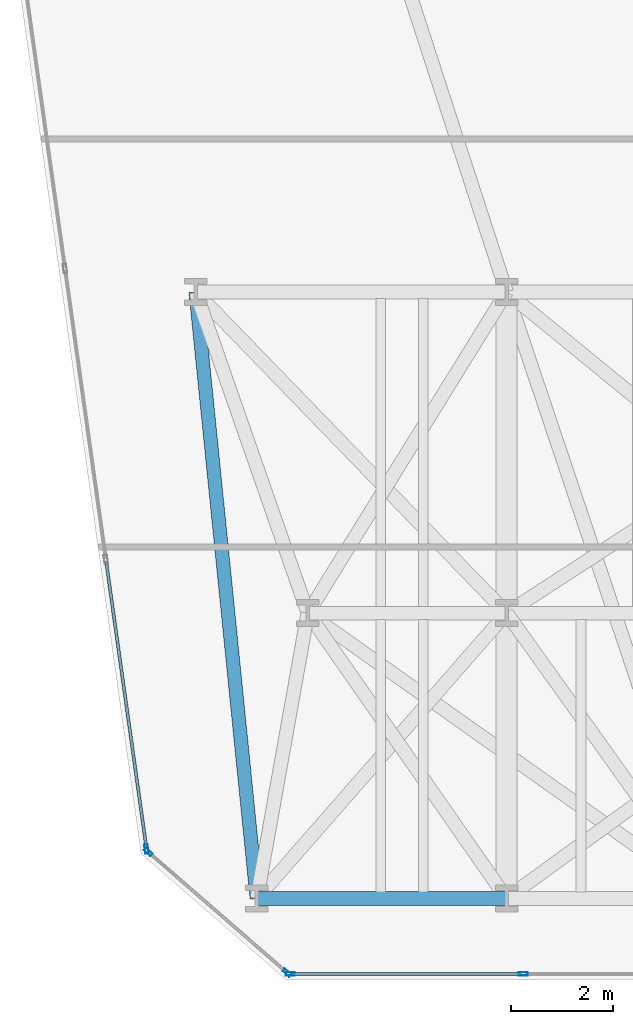
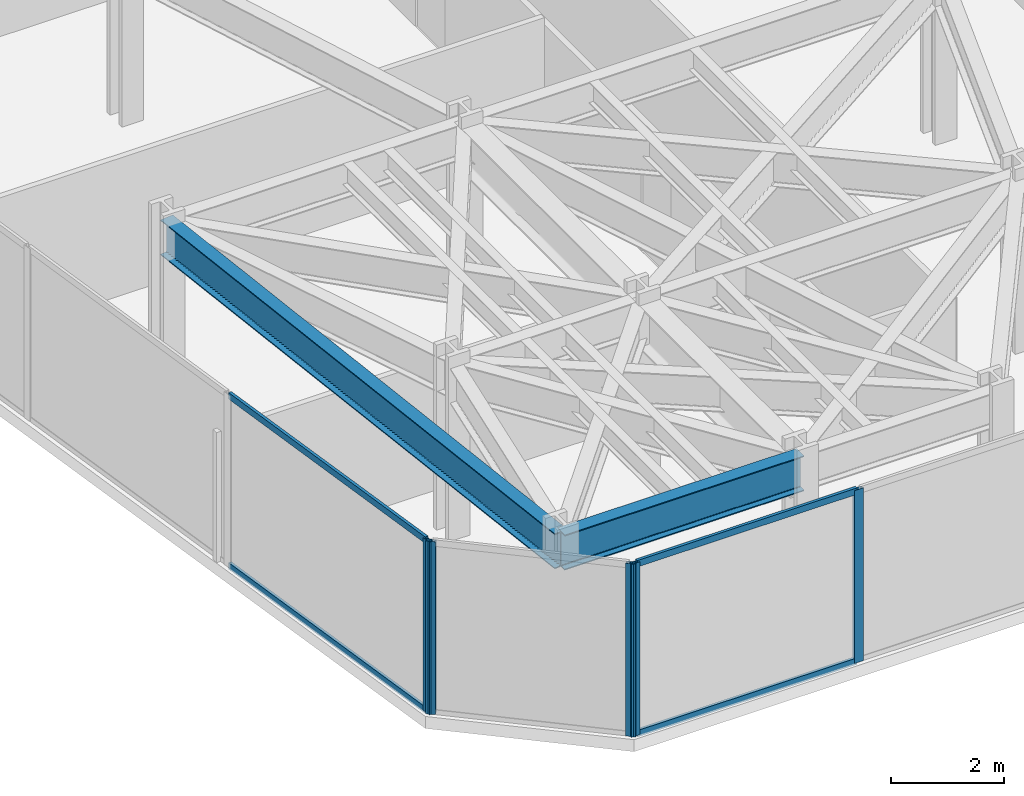
# One storey, part 2 of 25: 9 members, 2 beams, 3 elements without a shape of their own.
"""IFC4 building model written with IfcOpenShell, lengths in metres."""

import ifcopenshell
import ifcopenshell.guid

model = None  # the IFC model being written
_history = None  # IfcOwnerHistory: only IFC2X3 demands one
_inside = {}  # id of a spatial element -> (the spatial element, [elements in it])
_under = {}  # id of a project, library or spatial element -> (it, [spatial elements below it])
_declared = {}  # id of a project -> (the project, [libraries it declares])
_typed = {}  # id of a type object -> (the type object, [elements of that type])
_made_of = {}  # id of a material, layer set ... -> (it, [elements and type objects made of it])


def new_model(schema):
    """Start an empty IFC model of exactly this schema.

    Asked for "IFC4X3", IfcOpenShell would pick the latest addendum, in which some entities
    have other attributes; the version numbers below select the first issue.
    IFC2X3 requires an IfcOwnerHistory on every rooted entity: one is made here for all.
    """
    global model, _history
    if schema == "IFC4X3":
        model = ifcopenshell.file(schema_version=(4, 3, 0, 0))
    else:
        model = ifcopenshell.file(schema=schema)
    _inside.clear()
    _under.clear()
    _declared.clear()
    _typed.clear()
    _made_of.clear()
    _history = None
    if model.schema == "IFC2X3":
        org = make("IfcOrganization", Name="unknown")
        user = make(
            "IfcPersonAndOrganization",
            ThePerson=make("IfcPerson", FamilyName="unknown"),
            TheOrganization=org,
        )
        app = make(
            "IfcApplication",
            ApplicationDeveloper=org,
            Version="unknown",
            ApplicationFullName="unknown",
            ApplicationIdentifier="unknown",
        )
        _history = make(
            "IfcOwnerHistory",
            OwningUser=user,
            OwningApplication=app,
            ChangeAction="ADDED",
            CreationDate=0,
        )
    return model


def make(cls, **values):
    """One entity of the class cls with the attributes given. An attribute that is None is left unset."""
    return model.create_entity(
        cls, **{name: value for name, value in values.items() if value is not None}
    )


def rooted(cls, **values):
    """An entity with a GlobalId (a new one), such as an element, a storey or a relation."""
    return make(cls, GlobalId=ifcopenshell.guid.new(), OwnerHistory=_history, **values)


def si_unit(unit_type, name, prefix=None):
    """IfcSIUnit, for example si_unit("LENGTHUNIT", "METRE", prefix="MILLI")."""
    return make("IfcSIUnit", UnitType=unit_type, Prefix=prefix, Name=name)


def assignment(units):
    """IfcUnitAssignment: the units of a project."""
    return None if units is None else make("IfcUnitAssignment", Units=units)


def point(xyz):
    """IfcCartesianPoint."""
    return None if xyz is None else make("IfcCartesianPoint", Coordinates=xyz)


def direction(xyz):
    """IfcDirection."""
    return None if xyz is None else make("IfcDirection", DirectionRatios=xyz)


def frame(location, z_axis=None, x_axis=None):
    """IfcAxis2Placement3D, a coordinate frame: its origin and axes. An axis left out is left unset."""
    return make(
        "IfcAxis2Placement3D",
        Location=point(location),
        Axis=direction(z_axis),
        RefDirection=direction(x_axis),
    )


def frame_2d(location, x_axis=None):
    """IfcAxis2Placement2D, a coordinate frame in the plane: its origin and x axis."""
    return make(
        "IfcAxis2Placement2D", Location=point(location), RefDirection=direction(x_axis)
    )


def origin():
    """The frame at (0, 0, 0) with its axes left unset."""
    return frame((0.0, 0.0, 0.0))


def origin_2d():
    """The frame at (0, 0) in the plane with its x axis left unset."""
    return frame_2d((0.0, 0.0))


def place(relative_to, where):
    """IfcLocalPlacement: puts the frame where relative to a parent placement (None: the world)."""
    return make(
        "IfcLocalPlacement", PlacementRelTo=relative_to, RelativePlacement=where
    )


def context(
    kind, dimensions, precision=None, world=None, true_north=None, identifier=None
):
    """IfcGeometricRepresentationContext, for example the 3D "Model" context."""
    return make(
        "IfcGeometricRepresentationContext",
        ContextIdentifier=identifier,
        ContextType=kind,
        CoordinateSpaceDimension=dimensions,
        Precision=precision,
        WorldCoordinateSystem=world,
        TrueNorth=true_north,
    )


def subcontext(parent, identifier, kind, view, scale=None):
    """IfcGeometricRepresentationSubContext, for example "Body" below "Model"."""
    return make(
        "IfcGeometricRepresentationSubContext",
        ContextIdentifier=identifier,
        ContextType=kind,
        ParentContext=parent,
        TargetScale=scale,
        TargetView=view,
    )


def project(units=None, contexts=None):
    """IfcProject with its units and contexts."""
    return rooted(
        "IfcProject",
        Name="project",
        RepresentationContexts=contexts,
        UnitsInContext=assignment(units),
    )


def spatial(cls, under=None, at=None, **own):
    """A site, building, storey or space (cls), placed at a placement, below another one or the project."""
    s = rooted(cls, ObjectPlacement=at, **own)
    if under is not None:
        _under.setdefault(under.id(), (under, []))[1].append(s)
    return s


def profile(cls, at=None, kind="AREA", **sizes):
    """A parametric profile (cls). Its sizes go by their IFC names, for example OverallWidth=200.0."""
    return make(cls, ProfileType=kind, Position=at, **sizes)


def hollow_rectangle(**sizes):
    """IfcRectangleHollowProfileDef."""
    return profile("IfcRectangleHollowProfileDef", **sizes)


def i_section(**sizes):
    """IfcIShapeProfileDef."""
    return profile("IfcIShapeProfileDef", **sizes)


def extrude(swept, where, along, depth):
    """IfcExtrudedAreaSolid: the profile swept, set in the frame where, extruded along a direction by depth."""
    return make(
        "IfcExtrudedAreaSolid",
        SweptArea=swept,
        Position=where,
        ExtrudedDirection=direction(along),
        Depth=depth,
    )


def shape(context_of_items, identifier, shape_type, items):
    """IfcShapeRepresentation: the items that make up one representation, for example the "Body"."""
    return make(
        "IfcShapeRepresentation",
        ContextOfItems=context_of_items,
        RepresentationIdentifier=identifier,
        RepresentationType=shape_type,
        Items=items,
    )


def material(Name=None, Category=None):
    """IfcMaterial."""
    return make("IfcMaterial", Name=Name, Category=Category)


def layer(
    of_material, thickness, ventilated=None, Name=None, Category=None, Priority=None
):
    """IfcMaterialLayer: one layer of a wall or slab, of a material (None: an air gap)."""
    return make(
        "IfcMaterialLayer",
        Material=of_material,
        LayerThickness=thickness,
        IsVentilated=ventilated,
        Name=Name,
        Category=Category,
        Priority=Priority,
    )


def layer_set(layers, Name=None):
    """IfcMaterialLayerSet."""
    return make("IfcMaterialLayerSet", MaterialLayers=layers, LayerSetName=Name)


def material_profile(
    of_material, cross_section, Name=None, Category=None, Priority=None
):
    """IfcMaterialProfile: a cross section and its material."""
    return make(
        "IfcMaterialProfile",
        Name=Name,
        Material=of_material,
        Profile=cross_section,
        Priority=Priority,
        Category=Category,
    )


def profile_set(profiles, Name=None, composite=None):
    """IfcMaterialProfileSet."""
    return make(
        "IfcMaterialProfileSet",
        Name=Name,
        MaterialProfiles=profiles,
        CompositeProfile=composite,
    )


def made_of(thing, what):
    """Note that an element or type object is made of a material, layer set ...; save() writes the relation."""
    if what is not None:
        _made_of.setdefault(what.id(), (what, []))[1].append(thing)
    return thing


def type_object(cls, material=None, **own):
    """A type object (cls), such as IfcWallType, which elements share."""
    return made_of(rooted(cls, **own), material)


def element(
    cls,
    number,
    at=None,
    inside=None,
    cuts=None,
    type_object=None,
    material=None,
    context=None,
    identifier="Body",
    shape_type=None,
    held_by="IfcProductDefinitionShape",
    body=None,
    shapes=None,
    **own,
):
    """One element of the class cls, such as IfcWall. Its Tag is "e" and its number.

    at: its placement. inside: the storey or other place that contains it. cuts: it is an
    opening in that element (IfcRelVoidsElement). A single representation is given by context,
    identifier, shape_type and body (its items); several are given by shapes. held_by: the class
    of the entity that holds the representations. save() writes the other relations.
    """
    e = rooted(cls, Tag="e%d" % number, ObjectPlacement=at, **own)
    if body is not None:
        shapes = [shape(context, identifier, shape_type, body)]
    if shapes is not None:
        e.Representation = make(held_by, Representations=shapes)
    if inside is not None:
        _inside.setdefault(inside.id(), (inside, []))[1].append(e)
    if cuts is not None:
        rooted(
            "IfcRelVoidsElement", RelatingBuildingElement=cuts, RelatedOpeningElement=e
        )
    if type_object is not None:
        _typed.setdefault(type_object.id(), (type_object, []))[1].append(e)
    return made_of(e, material)


def aggregate(whole, parts):
    """IfcRelAggregates: a whole, such as a stair, and the parts it consists of."""
    return rooted("IfcRelAggregates", RelatingObject=whole, RelatedObjects=parts)


def save(model, path):
    """Write the relations noted so far, then the file.

    IfcRelAggregates (storeys below a building ...), IfcRelContainedInSpatialStructure (elements
    in a storey), IfcRelDefinesByType, IfcRelAssociatesMaterial and IfcRelDeclares: one each for
    every whole, place, type object, material and project.
    """
    for whole, parts in _under.values():
        aggregate(whole, parts)
    for where, things in _inside.values():
        rooted(
            "IfcRelContainedInSpatialStructure",
            RelatedElements=things,
            RelatingStructure=where,
        )
    for kind, things in _typed.values():
        rooted("IfcRelDefinesByType", RelatedObjects=things, RelatingType=kind)
    for what, things in _made_of.values():
        rooted("IfcRelAssociatesMaterial", RelatedObjects=things, RelatingMaterial=what)
    for by, libraries in _declared.values():
        rooted("IfcRelDeclares", RelatingContext=by, RelatedDefinitions=libraries)
    model.write(path)


model = new_model("IFC4")

# Units and contexts
model_context = context("Model", 3, precision=1e-05, world=origin(), true_north=direction((0.0, 1.0)))
body_context = subcontext(model_context, "Body", "Model", "MODEL_VIEW")
ifc_project = project(units=[si_unit("LENGTHUNIT", "METRE"), si_unit("AREAUNIT", "SQUARE_METRE"), si_unit("VOLUMEUNIT", "CUBIC_METRE"), si_unit("PLANEANGLEUNIT", "RADIAN"), si_unit("MASSUNIT", "GRAM", prefix="KILO")], contexts=[model_context])

# Site, building, storey
site_placement = place(None, origin())
site = spatial("IfcSite", under=ifc_project, at=site_placement, CompositionType="ELEMENT")
building_placement = place(site_placement, origin())
building = spatial("IfcBuilding", under=site, at=building_placement, Name="Kravanh Interchange Tower", CompositionType="ELEMENT")
storey_placement = place(building_placement, frame((0.0, 0.0, 57.5)))
storey = spatial("IfcBuildingStorey", under=building, at=storey_placement, Name="L13", CompositionType="ELEMENT", Elevation=57.5)

# Curtain wall, member
ifc_material_1 = material(Name="Anodised Bronze Aluminium", Category="aluminium")
ifc_layer = layer(ifc_material_1, 0.179931640625)
ifc_layer_set = layer_set([ifc_layer], Name="Unitised Curtain Wall System CW-Z1 Lower Office")
curtain_wall_type = type_object("IfcCurtainWallType", Name="Unitised Curtain Wall System CW-Z1 Lower Office", PredefinedType="NOTDEFINED", material=ifc_layer_set)
curtain_wall_1_placement = place(storey_placement, origin())
curtain_wall_1 = element("IfcCurtainWall", 1, at=curtain_wall_1_placement, inside=storey, type_object=curtain_wall_type, Name="L13 Unitised Curtain Wall CW-L13-01", PredefinedType="NOTDEFINED")
ifc_material_2 = material(Name="Anodised Bronze Aluminium", Category="aluminium")
ifc_material_profile_1 = material_profile(ifc_material_2, hollow_rectangle(XDim=0.070068359375, YDim=0.179931640625, WallThickness=0.00390625, at=origin_2d()), Name="ALU70X180X4")
ifc_profile_set_1 = profile_set([ifc_material_profile_1], Name="Anodised Bronze Aluminium")
member_type_1 = type_object("IfcMemberType", Name="Curtain Wall Mullion ALU70X180X4 Bronze", PredefinedType="MULLION", material=ifc_profile_set_1)
member_1_placement = place(storey_placement, frame((10.435546875, 3.571533203125, 0.0), z_axis=(0.0, 0.0, 1.0), x_axis=(-0.990267585682, -0.139176538065, 0.0)))
member_1 = element("IfcMember", 2, at=member_1_placement, type_object=member_type_1, Name="CW-Z1 mullion 1", PredefinedType="MULLION", context=body_context, shape_type="SweptSolid", body=[
    extrude(hollow_rectangle(XDim=0.070068359375, YDim=0.179931640625, WallThickness=0.00390625, at=origin_2d()), origin(), (0.0, 0.0, 1.0), 3.739990234375),
])

# Curtain wall, members
curtain_wall_2_placement = place(storey_placement, origin())
curtain_wall_2 = element("IfcCurtainWall", 3, at=curtain_wall_2_placement, inside=storey, type_object=curtain_wall_type, Name="L13 Unitised Curtain Wall CW-L13-06", PredefinedType="NOTDEFINED")
member_2_placement = place(storey_placement, frame((17.8271484375, 1.1201171875, 0.0), z_axis=(0.0, 0.0, 1.0), x_axis=(0.0, -1.0, 0.0)))
member_2 = element("IfcMember", 4, at=member_2_placement, type_object=member_type_1, Name="CW-Z1 mullion 2", PredefinedType="MULLION", context=body_context, shape_type="SweptSolid", body=[
    extrude(hollow_rectangle(XDim=0.070068359375, YDim=0.179931640625, WallThickness=0.00390625, at=origin_2d()), origin(), (0.0, 0.0, 1.0), 3.739990234375),
])
member_3_placement = place(storey_placement, frame((13.255615234375, 1.1201171875, 0.0), z_axis=(0.0, 0.0, 1.0), x_axis=(0.0, -1.0, 0.0)))
member_3 = element("IfcMember", 5, at=member_3_placement, type_object=member_type_1, Name="CW-Z1 mullion 3", PredefinedType="MULLION", context=body_context, shape_type="SweptSolid", body=[
    extrude(hollow_rectangle(XDim=0.070068359375, YDim=0.179931640625, WallThickness=0.00390625, at=origin_2d()), origin(), (0.0, 0.0, 1.0), 3.739990234375),
])

curtain_wall_3_placement = place(storey_placement, origin())
curtain_wall_3 = element("IfcCurtainWall", 6, at=curtain_wall_3_placement, inside=storey, type_object=curtain_wall_type, Name="L13 Unitised Curtain Wall CW-L13-07", PredefinedType="NOTDEFINED")
member_4_placement = place(storey_placement, frame((13.194091796875, 1.14306640625, 0.0), z_axis=(0.0, 0.0, 1.0), x_axis=(-0.656060422341, -0.754708368999, 0.0)))
member_4 = element("IfcMember", 7, at=member_4_placement, type_object=member_type_1, Name="CW-Z1 mullion 1", PredefinedType="MULLION", context=body_context, shape_type="SweptSolid", body=[
    extrude(hollow_rectangle(XDim=0.070068359375, YDim=0.179931640625, WallThickness=0.00390625, at=origin_2d()), origin(), (0.0, 0.0, 1.0), 3.739990234375),
])
member_5_placement = place(storey_placement, frame((10.466796875, 3.513916015625, 0.0), z_axis=(0.0, 0.0, 1.0), x_axis=(-0.656060422341, -0.754708368999, 0.0)))
member_5 = element("IfcMember", 8, at=member_5_placement, type_object=member_type_1, Name="CW-Z1 mullion 2", PredefinedType="MULLION", context=body_context, shape_type="SweptSolid", body=[
    extrude(hollow_rectangle(XDim=0.070068359375, YDim=0.179931640625, WallThickness=0.00390625, at=origin_2d()), origin(), (0.0, 0.0, 1.0), 3.739990234375),
])
aggregate(curtain_wall_3, [member_4, member_5])

# Member
ifc_material_3 = material(Name="Anodised Bronze Aluminium", Category="aluminium")
ifc_material_profile_2 = material_profile(ifc_material_3, hollow_rectangle(XDim=0.06005859375, YDim=0.139892578125, WallThickness=0.00390625, at=origin_2d()), Name="ALU60X140X4")
ifc_profile_set_2 = profile_set([ifc_material_profile_2], Name="Anodised Bronze Aluminium")
member_type_2 = type_object("IfcMemberType", Name="Curtain Wall Transom ALU60X140X4 Bronze", PredefinedType="USERDEFINED", material=ifc_profile_set_2)
member_6_placement = place(storey_placement, frame((10.4306640625, 3.606201171875, 0.030029296875), z_axis=(-0.139199330487, 0.990264382068, 0.0), x_axis=(-0.990264382068, -0.139199330487, 0.0)))
member_6 = element("IfcMember", 9, at=member_6_placement, type_object=member_type_2, Name="CW-Z1 transom 1.1", ObjectType="TRANSOM", PredefinedType="USERDEFINED", context=body_context, shape_type="SweptSolid", body=[
    extrude(hollow_rectangle(XDim=0.06005859375, YDim=0.139892578125, WallThickness=0.00390625, at=origin_2d()), origin(), (0.0, 0.0, 1.0), 5.66162109375),
])

member_7_placement = place(storey_placement, frame((10.4306640625, 3.606201171875, 3.7099609375), z_axis=(-0.139199330487, 0.990264382068, 0.0), x_axis=(-0.990264382068, -0.139199330487, 0.0)))
member_7 = element("IfcMember", 10, at=member_7_placement, type_object=member_type_2, Name="CW-Z1 transom 1.2", ObjectType="TRANSOM", PredefinedType="USERDEFINED", context=body_context, shape_type="SweptSolid", body=[
    extrude(hollow_rectangle(XDim=0.06005859375, YDim=0.139892578125, WallThickness=0.00390625, at=origin_2d()), origin(), (0.0, 0.0, 1.0), 5.66162109375),
])

aggregate(curtain_wall_1, [member_1, member_6, member_7])

member_8_placement = place(storey_placement, frame((17.792236328125, 1.1201171875, 0.030029296875), z_axis=(-1.0, 0.0, 0.0), x_axis=(0.0, -1.0, 0.0)))
member_8 = element("IfcMember", 11, at=member_8_placement, type_object=member_type_2, Name="CW-Z1 transom 2.1", ObjectType="TRANSOM", PredefinedType="USERDEFINED", context=body_context, shape_type="SweptSolid", body=[
    extrude(hollow_rectangle(XDim=0.06005859375, YDim=0.139892578125, WallThickness=0.00390625, at=origin_2d()), origin(), (0.0, 0.0, 1.0), 4.501708984375),
])

member_9_placement = place(storey_placement, frame((17.792236328125, 1.1201171875, 3.7099609375), z_axis=(-1.0, 0.0, 0.0), x_axis=(0.0, -1.0, 0.0)))
member_9 = element("IfcMember", 12, at=member_9_placement, type_object=member_type_2, Name="CW-Z1 transom 2.2", ObjectType="TRANSOM", PredefinedType="USERDEFINED", context=body_context, shape_type="SweptSolid", body=[
    extrude(hollow_rectangle(XDim=0.06005859375, YDim=0.139892578125, WallThickness=0.00390625, at=origin_2d()), origin(), (0.0, 0.0, 1.0), 4.501708984375),
])

aggregate(curtain_wall_2, [member_2, member_3, member_8, member_9])

# Beams
ifc_material_4 = material(Name="Structural Steel S355", Category="steel")
ifc_material_profile_3 = material_profile(ifc_material_4, i_section(OverallWidth=0.26708984375, OverallDepth=0.761962890625, WebThickness=0.014404296875, FlangeThickness=0.021484375, FilletRadius=0.02490234375, at=origin_2d()), Name="W30X116")
ifc_profile_set_3 = profile_set([ifc_material_profile_3], Name="Structural Steel S355")
beam_type = type_object("IfcBeamType", Name="Floor Spandrel W30X116 Structural Steel S355", PredefinedType="SPANDREL", material=ifc_profile_set_3)
beam_1_placement = place(storey_placement, frame((12.60009765625, 2.60009765625, 3.35888671875), z_axis=(1.0, 0.0, 0.0), x_axis=(0.0, 1.0, 0.0)))
element("IfcBeam", 13, at=beam_1_placement, inside=storey, type_object=beam_type, Name="L13 Perimeter Spandrel 38", PredefinedType="SPANDREL", context=body_context, shape_type="SweptSolid", body=[
    extrude(i_section(OverallWidth=0.26708984375, OverallDepth=0.761962890625, WebThickness=0.014404296875, FlangeThickness=0.021484375, FilletRadius=0.02490234375, at=origin_2d()), origin(), (0.0, 0.0, 1.0), 4.89990234375),
])
beam_2_placement = place(storey_placement, frame((12.60009765625, 2.60009765625, 3.35888671875), z_axis=(-0.100348483042, 0.994952351598, 0.0), x_axis=(-0.994952351598, -0.100348483042, 0.0)))
element("IfcBeam", 14, at=beam_2_placement, inside=storey, type_object=beam_type, Name="L13 Perimeter Spandrel 41", PredefinedType="SPANDREL", context=body_context, shape_type="SweptSolid", body=[
    extrude(i_section(OverallWidth=0.26708984375, OverallDepth=0.761962890625, WebThickness=0.014404296875, FlangeThickness=0.021484375, FilletRadius=0.02490234375, at=origin_2d()), origin(), (0.0, 0.0, 1.0), 11.960205078125),
])

save(model, "model.ifc")
